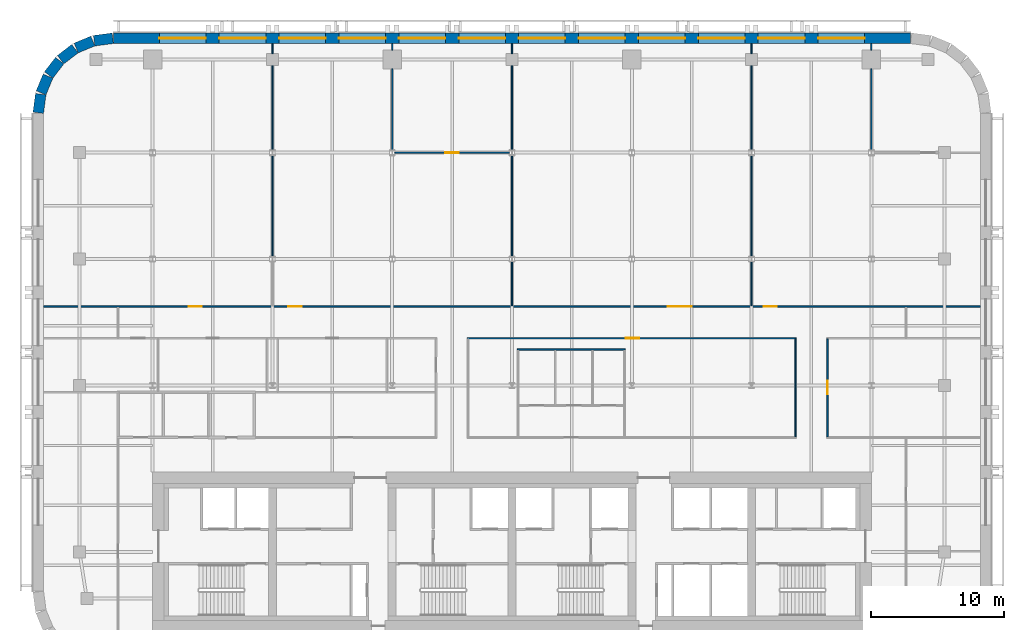
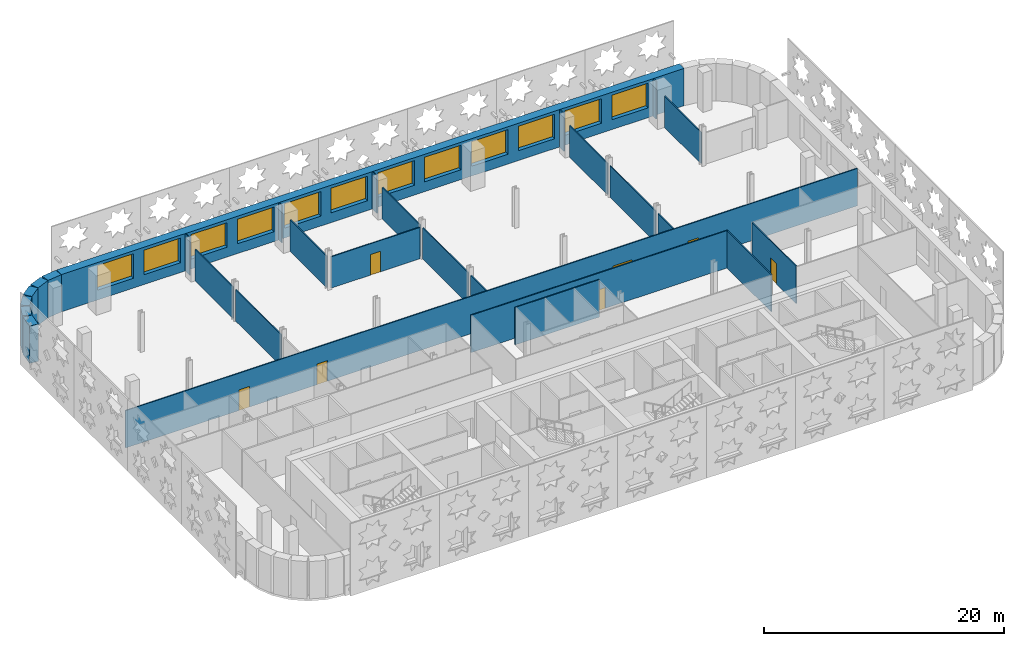
# One storey, part 6 of 12: 28 walls, 12 windows, 7 doors, 19 openings.
"""IFC4 building model written with IfcOpenShell, lengths in metres."""

import ifcopenshell
import ifcopenshell.guid

model = None  # the IFC model being written
_history = None  # IfcOwnerHistory: only IFC2X3 demands one
_inside = {}  # id of a spatial element -> (the spatial element, [elements in it])
_under = {}  # id of a project, library or spatial element -> (it, [spatial elements below it])
_declared = {}  # id of a project -> (the project, [libraries it declares])
_typed = {}  # id of a type object -> (the type object, [elements of that type])
_made_of = {}  # id of a material, layer set ... -> (it, [elements and type objects made of it])


def new_model(schema):
    """Start an empty IFC model of exactly this schema.

    Asked for "IFC4X3", IfcOpenShell would pick the latest addendum, in which some entities
    have other attributes; the version numbers below select the first issue.
    IFC2X3 requires an IfcOwnerHistory on every rooted entity: one is made here for all.
    """
    global model, _history
    if schema == "IFC4X3":
        model = ifcopenshell.file(schema_version=(4, 3, 0, 0))
    else:
        model = ifcopenshell.file(schema=schema)
    _inside.clear()
    _under.clear()
    _declared.clear()
    _typed.clear()
    _made_of.clear()
    _history = None
    if model.schema == "IFC2X3":
        org = make("IfcOrganization", Name="unknown")
        user = make(
            "IfcPersonAndOrganization",
            ThePerson=make("IfcPerson", FamilyName="unknown"),
            TheOrganization=org,
        )
        app = make(
            "IfcApplication",
            ApplicationDeveloper=org,
            Version="unknown",
            ApplicationFullName="unknown",
            ApplicationIdentifier="unknown",
        )
        _history = make(
            "IfcOwnerHistory",
            OwningUser=user,
            OwningApplication=app,
            ChangeAction="ADDED",
            CreationDate=0,
        )
    return model


def make(cls, **values):
    """One entity of the class cls with the attributes given. An attribute that is None is left unset."""
    return model.create_entity(
        cls, **{name: value for name, value in values.items() if value is not None}
    )


def rooted(cls, **values):
    """An entity with a GlobalId (a new one), such as an element, a storey or a relation."""
    return make(cls, GlobalId=ifcopenshell.guid.new(), OwnerHistory=_history, **values)


def si_unit(unit_type, name, prefix=None):
    """IfcSIUnit, for example si_unit("LENGTHUNIT", "METRE", prefix="MILLI")."""
    return make("IfcSIUnit", UnitType=unit_type, Prefix=prefix, Name=name)


def assignment(units):
    """IfcUnitAssignment: the units of a project."""
    return None if units is None else make("IfcUnitAssignment", Units=units)


def point(xyz):
    """IfcCartesianPoint."""
    return None if xyz is None else make("IfcCartesianPoint", Coordinates=xyz)


def direction(xyz):
    """IfcDirection."""
    return None if xyz is None else make("IfcDirection", DirectionRatios=xyz)


def frame(location, z_axis=None, x_axis=None):
    """IfcAxis2Placement3D, a coordinate frame: its origin and axes. An axis left out is left unset."""
    return make(
        "IfcAxis2Placement3D",
        Location=point(location),
        Axis=direction(z_axis),
        RefDirection=direction(x_axis),
    )


def frame_2d(location, x_axis=None):
    """IfcAxis2Placement2D, a coordinate frame in the plane: its origin and x axis."""
    return make(
        "IfcAxis2Placement2D", Location=point(location), RefDirection=direction(x_axis)
    )


def origin():
    """The frame at (0, 0, 0) with its axes left unset."""
    return frame((0.0, 0.0, 0.0))


def place(relative_to, where):
    """IfcLocalPlacement: puts the frame where relative to a parent placement (None: the world)."""
    return make(
        "IfcLocalPlacement", PlacementRelTo=relative_to, RelativePlacement=where
    )


def context(
    kind, dimensions, precision=None, world=None, true_north=None, identifier=None
):
    """IfcGeometricRepresentationContext, for example the 3D "Model" context."""
    return make(
        "IfcGeometricRepresentationContext",
        ContextIdentifier=identifier,
        ContextType=kind,
        CoordinateSpaceDimension=dimensions,
        Precision=precision,
        WorldCoordinateSystem=world,
        TrueNorth=true_north,
    )


def subcontext(parent, identifier, kind, view, scale=None):
    """IfcGeometricRepresentationSubContext, for example "Body" below "Model"."""
    return make(
        "IfcGeometricRepresentationSubContext",
        ContextIdentifier=identifier,
        ContextType=kind,
        ParentContext=parent,
        TargetScale=scale,
        TargetView=view,
    )


def project(units=None, contexts=None):
    """IfcProject with its units and contexts."""
    return rooted(
        "IfcProject",
        Name="project",
        RepresentationContexts=contexts,
        UnitsInContext=assignment(units),
    )


def spatial(cls, under=None, at=None, **own):
    """A site, building, storey or space (cls), placed at a placement, below another one or the project."""
    s = rooted(cls, ObjectPlacement=at, **own)
    if under is not None:
        _under.setdefault(under.id(), (under, []))[1].append(s)
    return s


def profile(cls, at=None, kind="AREA", **sizes):
    """A parametric profile (cls). Its sizes go by their IFC names, for example OverallWidth=200.0."""
    return make(cls, ProfileType=kind, Position=at, **sizes)


def rectangle(**sizes):
    """IfcRectangleProfileDef."""
    return profile("IfcRectangleProfileDef", **sizes)


def extrude(swept, where, along, depth):
    """IfcExtrudedAreaSolid: the profile swept, set in the frame where, extruded along a direction by depth."""
    return make(
        "IfcExtrudedAreaSolid",
        SweptArea=swept,
        Position=where,
        ExtrudedDirection=direction(along),
        Depth=depth,
    )


def shape(context_of_items, identifier, shape_type, items):
    """IfcShapeRepresentation: the items that make up one representation, for example the "Body"."""
    return make(
        "IfcShapeRepresentation",
        ContextOfItems=context_of_items,
        RepresentationIdentifier=identifier,
        RepresentationType=shape_type,
        Items=items,
    )


def material(Name=None, Category=None):
    """IfcMaterial."""
    return make("IfcMaterial", Name=Name, Category=Category)


def layer(
    of_material, thickness, ventilated=None, Name=None, Category=None, Priority=None
):
    """IfcMaterialLayer: one layer of a wall or slab, of a material (None: an air gap)."""
    return make(
        "IfcMaterialLayer",
        Material=of_material,
        LayerThickness=thickness,
        IsVentilated=ventilated,
        Name=Name,
        Category=Category,
        Priority=Priority,
    )


def layer_set(layers, Name=None):
    """IfcMaterialLayerSet."""
    return make("IfcMaterialLayerSet", MaterialLayers=layers, LayerSetName=Name)


def made_of(thing, what):
    """Note that an element or type object is made of a material, layer set ...; save() writes the relation."""
    if what is not None:
        _made_of.setdefault(what.id(), (what, []))[1].append(thing)
    return thing


def type_object(cls, material=None, **own):
    """A type object (cls), such as IfcWallType, which elements share."""
    return made_of(rooted(cls, **own), material)


def element(
    cls,
    number,
    at=None,
    inside=None,
    cuts=None,
    type_object=None,
    material=None,
    context=None,
    identifier="Body",
    shape_type=None,
    held_by="IfcProductDefinitionShape",
    body=None,
    shapes=None,
    **own,
):
    """One element of the class cls, such as IfcWall. Its Tag is "e" and its number.

    at: its placement. inside: the storey or other place that contains it. cuts: it is an
    opening in that element (IfcRelVoidsElement). A single representation is given by context,
    identifier, shape_type and body (its items); several are given by shapes. held_by: the class
    of the entity that holds the representations. save() writes the other relations.
    """
    e = rooted(cls, Tag="e%d" % number, ObjectPlacement=at, **own)
    if body is not None:
        shapes = [shape(context, identifier, shape_type, body)]
    if shapes is not None:
        e.Representation = make(held_by, Representations=shapes)
    if inside is not None:
        _inside.setdefault(inside.id(), (inside, []))[1].append(e)
    if cuts is not None:
        rooted(
            "IfcRelVoidsElement", RelatingBuildingElement=cuts, RelatedOpeningElement=e
        )
    if type_object is not None:
        _typed.setdefault(type_object.id(), (type_object, []))[1].append(e)
    return made_of(e, material)


def fill(opening, filler):
    """IfcRelFillsElement: the door or window that sits in an opening."""
    return rooted(
        "IfcRelFillsElement",
        RelatingOpeningElement=opening,
        RelatedBuildingElement=filler,
    )


def aggregate(whole, parts):
    """IfcRelAggregates: a whole, such as a stair, and the parts it consists of."""
    return rooted("IfcRelAggregates", RelatingObject=whole, RelatedObjects=parts)


def save(model, path):
    """Write the relations noted so far, then the file.

    IfcRelAggregates (storeys below a building ...), IfcRelContainedInSpatialStructure (elements
    in a storey), IfcRelDefinesByType, IfcRelAssociatesMaterial and IfcRelDeclares: one each for
    every whole, place, type object, material and project.
    """
    for whole, parts in _under.values():
        aggregate(whole, parts)
    for where, things in _inside.values():
        rooted(
            "IfcRelContainedInSpatialStructure",
            RelatedElements=things,
            RelatingStructure=where,
        )
    for kind, things in _typed.values():
        rooted("IfcRelDefinesByType", RelatedObjects=things, RelatingType=kind)
    for what, things in _made_of.values():
        rooted("IfcRelAssociatesMaterial", RelatedObjects=things, RelatingMaterial=what)
    for by, libraries in _declared.values():
        rooted("IfcRelDeclares", RelatingContext=by, RelatedDefinitions=libraries)
    model.write(path)


model = new_model("IFC4")

# Units and contexts
model_context = context("Model", 3, precision=1e-05, world=origin(), true_north=direction((0.0, 1.0)))
body_context = subcontext(model_context, "Body", "Model", "MODEL_VIEW")
ifc_project = project(units=[si_unit("LENGTHUNIT", "METRE"), si_unit("AREAUNIT", "SQUARE_METRE"), si_unit("VOLUMEUNIT", "CUBIC_METRE"), si_unit("PLANEANGLEUNIT", "RADIAN"), si_unit("MASSUNIT", "GRAM", prefix="KILO")], contexts=[model_context])

# Site, building, storey
site_placement = place(None, origin())
site = spatial("IfcSite", under=ifc_project, at=site_placement, CompositionType="ELEMENT")
building_placement = place(site_placement, origin())
building = spatial("IfcBuilding", under=site, at=building_placement, Name="Zellij Exchange Tower", CompositionType="ELEMENT")
storey_placement = place(building_placement, frame((0.0, 0.0, 196.5)))
storey = spatial("IfcBuildingStorey", under=building, at=storey_placement, Name="L45", CompositionType="ELEMENT", Elevation=196.5)

# Wall, openings, windows
ifc_material_1 = material(Name="Precast concrete C40/50", Category="concrete")
ifc_layer_1 = layer(ifc_material_1, 0.800048828125)
ifc_layer_set_1 = layer_set([ifc_layer_1], Name="Precast concrete C40/50")
wall_type_1 = type_object("IfcWallType", Name="ENV-EW1 Precast stone-piered wall 800", PredefinedType="SOLIDWALL", material=ifc_layer_set_1)
wall_1_placement = place(storey_placement, frame((29.947509765625, 30.60009765625, 0.0), z_axis=(0.0, 0.0, 1.0), x_axis=(-1.0, 0.0, 0.0)))
wall_1 = element("IfcWall", 1, at=wall_1_placement, inside=storey, type_object=wall_type_1, Name="fac.L45.14", PredefinedType="SOLIDWALL", context=body_context, shape_type="SweptSolid", body=[
    extrude(rectangle(XDim=59.89501953125, YDim=0.800048828125, at=frame_2d((29.947509765625, 0.0))), origin(), (0.0, 0.0, 1.0), 3.800048828125),
])
opening_1_placement = place(wall_1_placement, frame((3.447509765625, 0.0, 1.0)))
opening_1 = element("IfcOpeningElement", 2, at=opening_1_placement, cuts=wall_1, Name="Opening FZ3.19", PredefinedType="OPENING", context=body_context, shape_type="SweptSolid", body=[
    extrude(rectangle(XDim=3.5, YDim=2.5, at=frame_2d((1.75, 1.25))), frame((0.0, 0.412109375, 0.0), z_axis=(0.0, -1.0, 0.0), x_axis=(1.0, 0.0, 0.0)), (0.0, 0.0, 1.0), 0.823974609375),
])
opening_2_placement = place(wall_1_placement, frame((7.947509765625, 0.0, 1.0)))
opening_2 = element("IfcOpeningElement", 3, at=opening_2_placement, cuts=wall_1, Name="Opening FZ3.20", PredefinedType="OPENING", context=body_context, shape_type="SweptSolid", body=[
    extrude(rectangle(XDim=3.5, YDim=2.5, at=frame_2d((1.75, 1.25))), frame((0.0, 0.412109375, 0.0), z_axis=(0.0, -1.0, 0.0), x_axis=(1.0, 0.0, 0.0)), (0.0, 0.0, 1.0), 0.823974609375),
])
opening_3_placement = place(wall_1_placement, frame((12.447509765625, 0.0, 1.0)))
opening_3 = element("IfcOpeningElement", 4, at=opening_3_placement, cuts=wall_1, Name="Opening FZ3.21", PredefinedType="OPENING", context=body_context, shape_type="SweptSolid", body=[
    extrude(rectangle(XDim=3.5, YDim=2.5, at=frame_2d((1.75, 1.25))), frame((0.0, 0.412109375, 0.0), z_axis=(0.0, -1.0, 0.0), x_axis=(1.0, 0.0, 0.0)), (0.0, 0.0, 1.0), 0.823974609375),
])
opening_4_placement = place(wall_1_placement, frame((16.947509765625, 0.0, 1.0)))
opening_4 = element("IfcOpeningElement", 5, at=opening_4_placement, cuts=wall_1, Name="Opening FZ3.22", PredefinedType="OPENING", context=body_context, shape_type="SweptSolid", body=[
    extrude(rectangle(XDim=3.5, YDim=2.5, at=frame_2d((1.75, 1.25))), frame((0.0, 0.412109375, 0.0), z_axis=(0.0, -1.0, 0.0), x_axis=(1.0, 0.0, 0.0)), (0.0, 0.0, 1.0), 0.823974609375),
])
opening_5_placement = place(wall_1_placement, frame((21.447509765625, 0.0, 1.0)))
opening_5 = element("IfcOpeningElement", 6, at=opening_5_placement, cuts=wall_1, Name="Opening FZ3.23", PredefinedType="OPENING", context=body_context, shape_type="SweptSolid", body=[
    extrude(rectangle(XDim=3.5, YDim=2.5, at=frame_2d((1.75, 1.25))), frame((0.0, 0.412109375, 0.0), z_axis=(0.0, -1.0, 0.0), x_axis=(1.0, 0.0, 0.0)), (0.0, 0.0, 1.0), 0.823974609375),
])
opening_6_placement = place(wall_1_placement, frame((25.947509765625, 0.0, 1.0)))
opening_6 = element("IfcOpeningElement", 7, at=opening_6_placement, cuts=wall_1, Name="Opening FZ3.24", PredefinedType="OPENING", context=body_context, shape_type="SweptSolid", body=[
    extrude(rectangle(XDim=3.5, YDim=2.5, at=frame_2d((1.75, 1.25))), frame((0.0, 0.412109375, 0.0), z_axis=(0.0, -1.0, 0.0), x_axis=(1.0, 0.0, 0.0)), (0.0, 0.0, 1.0), 0.823974609375),
])
opening_7_placement = place(wall_1_placement, frame((30.447509765625, 0.0, 1.0)))
opening_7 = element("IfcOpeningElement", 8, at=opening_7_placement, cuts=wall_1, Name="Opening FZ3.25", PredefinedType="OPENING", context=body_context, shape_type="SweptSolid", body=[
    extrude(rectangle(XDim=3.5, YDim=2.5, at=frame_2d((1.75, 1.25))), frame((0.0, 0.412109375, 0.0), z_axis=(0.0, -1.0, 0.0), x_axis=(1.0, 0.0, 0.0)), (0.0, 0.0, 1.0), 0.823974609375),
])
opening_8_placement = place(wall_1_placement, frame((34.947509765625, 0.0, 1.0)))
opening_8 = element("IfcOpeningElement", 9, at=opening_8_placement, cuts=wall_1, Name="Opening FZ3.26", PredefinedType="OPENING", context=body_context, shape_type="SweptSolid", body=[
    extrude(rectangle(XDim=3.5, YDim=2.5, at=frame_2d((1.75, 1.25))), frame((0.0, 0.412109375, 0.0), z_axis=(0.0, -1.0, 0.0), x_axis=(1.0, 0.0, 0.0)), (0.0, 0.0, 1.0), 0.823974609375),
])
opening_9_placement = place(wall_1_placement, frame((39.447509765625, 0.0, 1.0)))
opening_9 = element("IfcOpeningElement", 10, at=opening_9_placement, cuts=wall_1, Name="Opening FZ3.27", PredefinedType="OPENING", context=body_context, shape_type="SweptSolid", body=[
    extrude(rectangle(XDim=3.5, YDim=2.5, at=frame_2d((1.75, 1.25))), frame((0.0, 0.412109375, 0.0), z_axis=(0.0, -1.0, 0.0), x_axis=(1.0, 0.0, 0.0)), (0.0, 0.0, 1.0), 0.823974609375),
])
opening_10_placement = place(wall_1_placement, frame((43.947509765625, 0.0, 1.0)))
opening_10 = element("IfcOpeningElement", 11, at=opening_10_placement, cuts=wall_1, Name="Opening FZ3.28", PredefinedType="OPENING", context=body_context, shape_type="SweptSolid", body=[
    extrude(rectangle(XDim=3.5, YDim=2.5, at=frame_2d((1.75, 1.25))), frame((0.0, 0.412109375, 0.0), z_axis=(0.0, -1.0, 0.0), x_axis=(1.0, 0.0, 0.0)), (0.0, 0.0, 1.0), 0.823974609375),
])
opening_11_placement = place(wall_1_placement, frame((48.447509765625, 0.0, 1.0)))
opening_11 = element("IfcOpeningElement", 12, at=opening_11_placement, cuts=wall_1, Name="Opening FZ3.29", PredefinedType="OPENING", context=body_context, shape_type="SweptSolid", body=[
    extrude(rectangle(XDim=3.5, YDim=2.5, at=frame_2d((1.75, 1.25))), frame((0.0, 0.412109375, 0.0), z_axis=(0.0, -1.0, 0.0), x_axis=(1.0, 0.0, 0.0)), (0.0, 0.0, 1.0), 0.823974609375),
])
opening_12_placement = place(wall_1_placement, frame((52.947509765625, 0.0, 1.0)))
opening_12 = element("IfcOpeningElement", 13, at=opening_12_placement, cuts=wall_1, Name="Opening FZ3.30", PredefinedType="OPENING", context=body_context, shape_type="SweptSolid", body=[
    extrude(rectangle(XDim=3.5, YDim=2.5, at=frame_2d((1.75, 1.25))), frame((0.0, 0.412109375, 0.0), z_axis=(0.0, -1.0, 0.0), x_axis=(1.0, 0.0, 0.0)), (0.0, 0.0, 1.0), 0.823974609375),
])
ifc_material_2 = material(Name="Aluminium frame with insulating glass", Category="aluminium")
window_type = type_object("IfcWindowType", Name="ENV-W1 Window 3500x2500", PartitioningType="SINGLE_PANEL", PredefinedType="WINDOW", material=ifc_material_2)
window_1_placement = place(opening_1_placement, origin())
window_1 = element("IfcWindow", 14, at=window_1_placement, inside=storey, type_object=window_type, Name="Window FZ3.19", OverallHeight=2.5, OverallWidth=3.5, PartitioningType="SINGLE_PANEL", PredefinedType="WINDOW", context=body_context, shape_type="SweptSolid", body=[
    extrude(rectangle(XDim=3.5, YDim=2.5, at=frame_2d((1.75, 1.25))), frame((0.0, 0.030029296875, 0.0), z_axis=(0.0, -1.0, 0.0), x_axis=(1.0, 0.0, 0.0)), (0.0, 0.0, 1.0), 0.06005859375),
])
fill(opening_1, window_1)
window_2_placement = place(opening_2_placement, origin())
window_2 = element("IfcWindow", 15, at=window_2_placement, inside=storey, type_object=window_type, Name="Window FZ3.20", OverallHeight=2.5, OverallWidth=3.5, PartitioningType="SINGLE_PANEL", PredefinedType="WINDOW", context=body_context, shape_type="SweptSolid", body=[
    extrude(rectangle(XDim=3.5, YDim=2.5, at=frame_2d((1.75, 1.25))), frame((0.0, 0.030029296875, 0.0), z_axis=(0.0, -1.0, 0.0), x_axis=(1.0, 0.0, 0.0)), (0.0, 0.0, 1.0), 0.06005859375),
])
fill(opening_2, window_2)
window_3_placement = place(opening_3_placement, origin())
window_3 = element("IfcWindow", 16, at=window_3_placement, inside=storey, type_object=window_type, Name="Window FZ3.21", OverallHeight=2.5, OverallWidth=3.5, PartitioningType="SINGLE_PANEL", PredefinedType="WINDOW", context=body_context, shape_type="SweptSolid", body=[
    extrude(rectangle(XDim=3.5, YDim=2.5, at=frame_2d((1.75, 1.25))), frame((0.0, 0.030029296875, 0.0), z_axis=(0.0, -1.0, 0.0), x_axis=(1.0, 0.0, 0.0)), (0.0, 0.0, 1.0), 0.06005859375),
])
fill(opening_3, window_3)
window_4_placement = place(opening_4_placement, origin())
window_4 = element("IfcWindow", 17, at=window_4_placement, inside=storey, type_object=window_type, Name="Window FZ3.22", OverallHeight=2.5, OverallWidth=3.5, PartitioningType="SINGLE_PANEL", PredefinedType="WINDOW", context=body_context, shape_type="SweptSolid", body=[
    extrude(rectangle(XDim=3.5, YDim=2.5, at=frame_2d((1.75, 1.25))), frame((0.0, 0.030029296875, 0.0), z_axis=(0.0, -1.0, 0.0), x_axis=(1.0, 0.0, 0.0)), (0.0, 0.0, 1.0), 0.06005859375),
])
fill(opening_4, window_4)
window_5_placement = place(opening_5_placement, origin())
window_5 = element("IfcWindow", 18, at=window_5_placement, inside=storey, type_object=window_type, Name="Window FZ3.23", OverallHeight=2.5, OverallWidth=3.5, PartitioningType="SINGLE_PANEL", PredefinedType="WINDOW", context=body_context, shape_type="SweptSolid", body=[
    extrude(rectangle(XDim=3.5, YDim=2.5, at=frame_2d((1.75, 1.25))), frame((0.0, 0.030029296875, 0.0), z_axis=(0.0, -1.0, 0.0), x_axis=(1.0, 0.0, 0.0)), (0.0, 0.0, 1.0), 0.06005859375),
])
fill(opening_5, window_5)
window_6_placement = place(opening_6_placement, origin())
window_6 = element("IfcWindow", 19, at=window_6_placement, inside=storey, type_object=window_type, Name="Window FZ3.24", OverallHeight=2.5, OverallWidth=3.5, PartitioningType="SINGLE_PANEL", PredefinedType="WINDOW", context=body_context, shape_type="SweptSolid", body=[
    extrude(rectangle(XDim=3.5, YDim=2.5, at=frame_2d((1.75, 1.25))), frame((0.0, 0.030029296875, 0.0), z_axis=(0.0, -1.0, 0.0), x_axis=(1.0, 0.0, 0.0)), (0.0, 0.0, 1.0), 0.06005859375),
])
fill(opening_6, window_6)
window_7_placement = place(opening_7_placement, origin())
window_7 = element("IfcWindow", 20, at=window_7_placement, inside=storey, type_object=window_type, Name="Window FZ3.25", OverallHeight=2.5, OverallWidth=3.5, PartitioningType="SINGLE_PANEL", PredefinedType="WINDOW", context=body_context, shape_type="SweptSolid", body=[
    extrude(rectangle(XDim=3.5, YDim=2.5, at=frame_2d((1.75, 1.25))), frame((0.0, 0.030029296875, 0.0), z_axis=(0.0, -1.0, 0.0), x_axis=(1.0, 0.0, 0.0)), (0.0, 0.0, 1.0), 0.06005859375),
])
fill(opening_7, window_7)
window_8_placement = place(opening_8_placement, origin())
window_8 = element("IfcWindow", 21, at=window_8_placement, inside=storey, type_object=window_type, Name="Window FZ3.26", OverallHeight=2.5, OverallWidth=3.5, PartitioningType="SINGLE_PANEL", PredefinedType="WINDOW", context=body_context, shape_type="SweptSolid", body=[
    extrude(rectangle(XDim=3.5, YDim=2.5, at=frame_2d((1.75, 1.25))), frame((0.0, 0.030029296875, 0.0), z_axis=(0.0, -1.0, 0.0), x_axis=(1.0, 0.0, 0.0)), (0.0, 0.0, 1.0), 0.06005859375),
])
fill(opening_8, window_8)
window_9_placement = place(opening_9_placement, origin())
window_9 = element("IfcWindow", 22, at=window_9_placement, inside=storey, type_object=window_type, Name="Window FZ3.27", OverallHeight=2.5, OverallWidth=3.5, PartitioningType="SINGLE_PANEL", PredefinedType="WINDOW", context=body_context, shape_type="SweptSolid", body=[
    extrude(rectangle(XDim=3.5, YDim=2.5, at=frame_2d((1.75, 1.25))), frame((0.0, 0.030029296875, 0.0), z_axis=(0.0, -1.0, 0.0), x_axis=(1.0, 0.0, 0.0)), (0.0, 0.0, 1.0), 0.06005859375),
])
fill(opening_9, window_9)
window_10_placement = place(opening_10_placement, origin())
window_10 = element("IfcWindow", 23, at=window_10_placement, inside=storey, type_object=window_type, Name="Window FZ3.28", OverallHeight=2.5, OverallWidth=3.5, PartitioningType="SINGLE_PANEL", PredefinedType="WINDOW", context=body_context, shape_type="SweptSolid", body=[
    extrude(rectangle(XDim=3.5, YDim=2.5, at=frame_2d((1.75, 1.25))), frame((0.0, 0.030029296875, 0.0), z_axis=(0.0, -1.0, 0.0), x_axis=(1.0, 0.0, 0.0)), (0.0, 0.0, 1.0), 0.06005859375),
])
fill(opening_10, window_10)
window_11_placement = place(opening_11_placement, origin())
window_11 = element("IfcWindow", 24, at=window_11_placement, inside=storey, type_object=window_type, Name="Window FZ3.29", OverallHeight=2.5, OverallWidth=3.5, PartitioningType="SINGLE_PANEL", PredefinedType="WINDOW", context=body_context, shape_type="SweptSolid", body=[
    extrude(rectangle(XDim=3.5, YDim=2.5, at=frame_2d((1.75, 1.25))), frame((0.0, 0.030029296875, 0.0), z_axis=(0.0, -1.0, 0.0), x_axis=(1.0, 0.0, 0.0)), (0.0, 0.0, 1.0), 0.06005859375),
])
fill(opening_11, window_11)
window_12_placement = place(opening_12_placement, origin())
window_12 = element("IfcWindow", 25, at=window_12_placement, inside=storey, type_object=window_type, Name="Window FZ3.30", OverallHeight=2.5, OverallWidth=3.5, PartitioningType="SINGLE_PANEL", PredefinedType="WINDOW", context=body_context, shape_type="SweptSolid", body=[
    extrude(rectangle(XDim=3.5, YDim=2.5, at=frame_2d((1.75, 1.25))), frame((0.0, 0.030029296875, 0.0), z_axis=(0.0, -1.0, 0.0), x_axis=(1.0, 0.0, 0.0)), (0.0, 0.0, 1.0), 0.06005859375),
])
fill(opening_12, window_12)

# Walls
wall_2_placement = place(storey_placement, frame((-29.999755859375, 30.5966796875, 0.0), z_axis=(0.0, 0.0, 1.0), x_axis=(-0.99144603414, -0.130517283865, 0.0)))
element("IfcWall", 26, at=wall_2_placement, inside=storey, type_object=wall_type_1, Name="fac.L45.15", PredefinedType="SOLIDWALL", context=body_context, shape_type="SweptSolid", body=[
    extrude(rectangle(XDim=1.408447265625, YDim=0.800048828125, at=frame_2d((0.7041015625, 0.0))), origin(), (0.0, 0.0, 1.0), 3.800048828125),
])
wall_3_placement = place(storey_placement, frame((-31.497314453125, 30.3857421875, 0.0), z_axis=(0.0, 0.0, 1.0), x_axis=(-0.923847774587, -0.38276009378, 0.0)))
element("IfcWall", 27, at=wall_3_placement, inside=storey, type_object=wall_type_1, Name="fac.L45.16", PredefinedType="SOLIDWALL", context=body_context, shape_type="SweptSolid", body=[
    extrude(rectangle(XDim=1.35546875, YDim=0.800048828125, at=frame_2d((0.677734375, 0.0))), origin(), (0.0, 0.0, 1.0), 3.800048828125),
])
for number, where, z_axis, x_axis, name in (
    (28, (-32.840087890625, 29.814697265625, 0.0), (0.0, 0.0, 1.0), (-0.793272915452, -0.608866226366, 0.0), "fac.L45.17"),
    (29, (-33.9892578125, 28.91552734375, 0.0), (0.0, 0.0, 1.0), (-0.608866226366, -0.793272915452, 0.0), "fac.L45.18"),
):
    element("IfcWall", number, at=place(storey_placement, frame(where, z_axis=z_axis, x_axis=x_axis)), inside=storey, type_object=wall_type_1, Name=name, PredefinedType="SOLIDWALL", context=body_context, shape_type="SweptSolid", body=[
        extrude(rectangle(XDim=1.355712890625, YDim=0.800048828125, at=frame_2d((0.677734375, 0.0))), origin(), (0.0, 0.0, 1.0), 3.800048828125),
    ])
wall_4_placement = place(storey_placement, frame((-34.866943359375, 27.74951171875, 0.0), z_axis=(0.0, 0.0, 1.0), x_axis=(-0.38276009378, -0.923847774587, 0.0)))
element("IfcWall", 30, at=wall_4_placement, inside=storey, type_object=wall_type_1, Name="fac.L45.19", PredefinedType="SOLIDWALL", context=body_context, shape_type="SweptSolid", body=[
    extrude(rectangle(XDim=1.35546875, YDim=0.800048828125, at=frame_2d((0.677734375, 0.0))), origin(), (0.0, 0.0, 1.0), 3.800048828125),
])
wall_5_placement = place(storey_placement, frame((-35.412841796875, 26.396240234375, 0.0), z_axis=(0.0, 0.0, 1.0), x_axis=(-0.130517283865, -0.99144603414, 0.0)))
element("IfcWall", 31, at=wall_5_placement, inside=storey, type_object=wall_type_1, Name="fac.L45.20", PredefinedType="SOLIDWALL", context=body_context, shape_type="SweptSolid", body=[
    extrude(rectangle(XDim=1.408447265625, YDim=0.800048828125, at=frame_2d((0.7041015625, 0.0))), origin(), (0.0, 0.0, 1.0), 3.800048828125),
])
ifc_material_3 = material(Name="Gypsum board partition on steel studs", Category="steel")
ifc_layer_2 = layer(ifc_material_3, 0.10009765625)
ifc_layer_set_2 = layer_set([ifc_layer_2], Name="Gypsum board partition on steel studs")
wall_type_2 = type_object("IfcWallType", Name="FIT-PARTITION-100", PredefinedType="PARTITIONING", material=ifc_layer_set_2)
wall_6_placement = place(storey_placement, frame((21.300048828125, 0.64990234375, 0.0), z_axis=(0.0, 0.0, 1.0), x_axis=(0.0, 1.0, 0.0)))
element("IfcWall", 32, at=wall_6_placement, inside=storey, type_object=wall_type_2, Name="FIT-PARTITION-100 017", PredefinedType="PARTITIONING", context=body_context, shape_type="SweptSolid", body=[
    extrude(rectangle(XDim=7.35009765625, YDim=0.10009765625, at=frame_2d((3.675048828125, 0.0))), origin(), (0.0, 0.0, 1.0), 3.800048828125),
])

# Wall, opening, door
wall_7_placement = place(storey_placement, frame((23.699951171875, 0.64990234375, 0.0), z_axis=(0.0, 0.0, 1.0), x_axis=(0.0, 1.0, 0.0)))
wall_7 = element("IfcWall", 33, at=wall_7_placement, inside=storey, type_object=wall_type_2, Name="FIT-PARTITION-100 019", PredefinedType="PARTITIONING", context=body_context, shape_type="SweptSolid", body=[
    extrude(rectangle(XDim=7.35009765625, YDim=0.10009765625, at=frame_2d((3.675048828125, 0.0))), origin(), (0.0, 0.0, 1.0), 3.800048828125),
])
opening_13_placement = place(wall_7_placement, frame((3.199951171875, 0.0, 0.0)))
opening_13 = element("IfcOpeningElement", 34, at=opening_13_placement, cuts=wall_7, Name="Opening O3D.12", PredefinedType="OPENING", context=body_context, shape_type="SweptSolid", body=[
    extrude(rectangle(XDim=1.0, YDim=2.10009765625, at=frame_2d((0.5, 1.050048828125))), frame((0.0, 0.06201171875, 0.0), z_axis=(0.0, -1.0, 0.0), x_axis=(1.0, 0.0, 0.0)), (0.0, 0.0, 1.0), 0.1240234375),
])
ifc_material_4 = material(Name="Timber door set", Category="wood")
door_type_1 = type_object("IfcDoorType", Name="FIT-D2-WIDE-1000X2100", OperationType="SINGLE_SWING_LEFT", PredefinedType="DOOR", material=ifc_material_4)
door_1_placement = place(opening_13_placement, origin())
door_1 = element("IfcDoor", 35, at=door_1_placement, inside=storey, type_object=door_type_1, Name="Door O3D.12", OperationType="SINGLE_SWING_RIGHT", OverallHeight=2.10009765625, OverallWidth=1.0, PredefinedType="DOOR", context=body_context, shape_type="SweptSolid", body=[
    extrude(rectangle(XDim=1.0, YDim=2.10009765625, at=frame_2d((0.5, 1.050048828125))), frame((0.0, 0.02490234375, 0.0), z_axis=(0.0, -1.0, 0.0), x_axis=(1.0, 0.0, 0.0)), (0.0, 0.0, 1.0), 0.050048828125),
])
fill(opening_13, door_1)

# Wall
wall_8_placement = place(storey_placement, frame((0.39990234375, 7.199951171875, 0.0), z_axis=(0.0, 0.0, 1.0), x_axis=(1.0, 0.0, 0.0)))
element("IfcWall", 36, at=wall_8_placement, inside=storey, type_object=wall_type_2, Name="FIT-PARTITION-100 031", PredefinedType="PARTITIONING", context=body_context, shape_type="SweptSolid", body=[
    extrude(rectangle(XDim=8.10009765625, YDim=0.10009765625, at=frame_2d((4.050048828125, 0.0))), origin(), (0.0, 0.0, 1.0), 3.800048828125),
])

# Wall, opening, door
wall_9_placement = place(storey_placement, frame((-3.35009765625, 8.050048828125, 0.0), z_axis=(0.0, 0.0, 1.0), x_axis=(1.0, 0.0, 0.0)))
wall_9 = element("IfcWall", 37, at=wall_9_placement, inside=storey, type_object=wall_type_2, Name="FIT-PARTITION-100 034", PredefinedType="PARTITIONING", context=body_context, shape_type="SweptSolid", body=[
    extrude(rectangle(XDim=24.7001953125, YDim=0.10009765625, at=frame_2d((12.35009765625, 0.0))), origin(), (0.0, 0.0, 1.0), 3.800048828125),
])
opening_14_placement = place(wall_9_placement, frame((11.89990234375, 0.0, 0.0)))
opening_14 = element("IfcOpeningElement", 38, at=opening_14_placement, cuts=wall_9, Name="Opening O3D.17", PredefinedType="OPENING", context=body_context, shape_type="SweptSolid", body=[
    extrude(rectangle(XDim=1.0, YDim=2.10009765625, at=frame_2d((0.5, 1.050048828125))), frame((0.0, 0.06201171875, 0.0), z_axis=(0.0, -1.0, 0.0), x_axis=(1.0, 0.0, 0.0)), (0.0, 0.0, 1.0), 0.1240234375),
])
door_2_placement = place(opening_14_placement, origin())
door_2 = element("IfcDoor", 39, at=door_2_placement, inside=storey, type_object=door_type_1, Name="Door O3D.17", OperationType="SINGLE_SWING_RIGHT", OverallHeight=2.10009765625, OverallWidth=1.0, PredefinedType="DOOR", context=body_context, shape_type="SweptSolid", body=[
    extrude(rectangle(XDim=1.0, YDim=2.10009765625, at=frame_2d((0.5, 1.050048828125))), frame((0.0, 0.02490234375, 0.0), z_axis=(0.0, -1.0, 0.0), x_axis=(1.0, 0.0, 0.0)), (0.0, 0.0, 1.0), 0.050048828125),
])
fill(opening_14, door_2)

# Wall, openings, doors
wall_10_placement = place(storey_placement, frame((-35.199951171875, 10.449951171875, 0.0), z_axis=(0.0, 0.0, 1.0), x_axis=(1.0, 0.0, 0.0)))
wall_10 = element("IfcWall", 40, at=wall_10_placement, inside=storey, type_object=wall_type_2, Name="FIT-PARTITION-100 037", PredefinedType="PARTITIONING", context=body_context, shape_type="SweptSolid", body=[
    extrude(rectangle(XDim=70.39990234375, YDim=0.10009765625, at=frame_2d((35.199951171875, 0.0))), origin(), (0.0, 0.0, 1.0), 3.800048828125),
])
opening_15_placement = place(wall_10_placement, frame((10.89990234375, 0.0, 0.0)))
opening_15 = element("IfcOpeningElement", 41, at=opening_15_placement, cuts=wall_10, Name="Opening O3D.18", PredefinedType="OPENING", context=body_context, shape_type="SweptSolid", body=[
    extrude(rectangle(XDim=1.0, YDim=2.10009765625, at=frame_2d((0.5, 1.050048828125))), frame((0.0, 0.06201171875, 0.0), z_axis=(0.0, -1.0, 0.0), x_axis=(1.0, 0.0, 0.0)), (0.0, 0.0, 1.0), 0.1240234375),
])
opening_16_placement = place(wall_10_placement, frame((18.39990234375, 0.0, 0.0)))
opening_16 = element("IfcOpeningElement", 42, at=opening_16_placement, cuts=wall_10, Name="Opening O3D.19", PredefinedType="OPENING", context=body_context, shape_type="SweptSolid", body=[
    extrude(rectangle(XDim=1.0, YDim=2.10009765625, at=frame_2d((0.5, 1.050048828125))), frame((0.0, 0.06201171875, 0.0), z_axis=(0.0, -1.0, 0.0), x_axis=(1.0, 0.0, 0.0)), (0.0, 0.0, 1.0), 0.1240234375),
])
opening_17_placement = place(wall_10_placement, frame((46.89990234375, 0.0, 0.0)))
opening_17 = element("IfcOpeningElement", 43, at=opening_17_placement, cuts=wall_10, Name="Opening O3D.20", PredefinedType="OPENING", context=body_context, shape_type="SweptSolid", body=[
    extrude(rectangle(XDim=1.800048828125, YDim=2.10009765625, at=frame_2d((0.89990234375, 1.050048828125))), frame((0.0, 0.06201171875, 0.0), z_axis=(0.0, -1.0, 0.0), x_axis=(1.0, 0.0, 0.0)), (0.0, 0.0, 1.0), 0.1240234375),
])
opening_18_placement = place(wall_10_placement, frame((54.10009765625, 0.0, 0.0)))
opening_18 = element("IfcOpeningElement", 44, at=opening_18_placement, cuts=wall_10, Name="Opening O3D.21", PredefinedType="OPENING", context=body_context, shape_type="SweptSolid", body=[
    extrude(rectangle(XDim=1.0, YDim=2.10009765625, at=frame_2d((0.5, 1.050048828125))), frame((0.0, 0.06201171875, 0.0), z_axis=(0.0, -1.0, 0.0), x_axis=(1.0, 0.0, 0.0)), (0.0, 0.0, 1.0), 0.1240234375),
])
door_3_placement = place(opening_15_placement, origin())
door_3 = element("IfcDoor", 45, at=door_3_placement, inside=storey, type_object=door_type_1, Name="Door O3D.18", OperationType="SINGLE_SWING_RIGHT", OverallHeight=2.10009765625, OverallWidth=1.0, PredefinedType="DOOR", context=body_context, shape_type="SweptSolid", body=[
    extrude(rectangle(XDim=1.0, YDim=2.10009765625, at=frame_2d((0.5, 1.050048828125))), frame((0.0, 0.02490234375, 0.0), z_axis=(0.0, -1.0, 0.0), x_axis=(1.0, 0.0, 0.0)), (0.0, 0.0, 1.0), 0.050048828125),
])
fill(opening_15, door_3)
door_4_placement = place(opening_16_placement, origin())
door_4 = element("IfcDoor", 46, at=door_4_placement, inside=storey, type_object=door_type_1, Name="Door O3D.19", OperationType="SINGLE_SWING_RIGHT", OverallHeight=2.10009765625, OverallWidth=1.0, PredefinedType="DOOR", context=body_context, shape_type="SweptSolid", body=[
    extrude(rectangle(XDim=1.0, YDim=2.10009765625, at=frame_2d((0.5, 1.050048828125))), frame((0.0, 0.02490234375, 0.0), z_axis=(0.0, -1.0, 0.0), x_axis=(1.0, 0.0, 0.0)), (0.0, 0.0, 1.0), 0.050048828125),
])
fill(opening_16, door_4)
door_5_placement = place(opening_18_placement, origin())
door_5 = element("IfcDoor", 47, at=door_5_placement, inside=storey, type_object=door_type_1, Name="Door O3D.21", OperationType="SINGLE_SWING_RIGHT", OverallHeight=2.10009765625, OverallWidth=1.0, PredefinedType="DOOR", context=body_context, shape_type="SweptSolid", body=[
    extrude(rectangle(XDim=1.0, YDim=2.10009765625, at=frame_2d((0.5, 1.050048828125))), frame((0.0, 0.02490234375, 0.0), z_axis=(0.0, -1.0, 0.0), x_axis=(1.0, 0.0, 0.0)), (0.0, 0.0, 1.0), 0.050048828125),
])
fill(opening_18, door_5)
door_type_2 = type_object("IfcDoorType", Name="FIT-D3-DOUBLE-1800X2100", OperationType="DOUBLE_DOOR_SINGLE_SWING", PredefinedType="DOOR", material=ifc_material_4)
door_6_placement = place(opening_17_placement, origin())
door_6 = element("IfcDoor", 48, at=door_6_placement, inside=storey, type_object=door_type_2, Name="Door O3D.20", OperationType="DOUBLE_DOOR_SINGLE_SWING", OverallHeight=2.10009765625, OverallWidth=1.800048828125, PredefinedType="DOOR", context=body_context, shape_type="SweptSolid", body=[
    extrude(rectangle(XDim=1.800048828125, YDim=2.10009765625, at=frame_2d((0.89990234375, 1.050048828125))), frame((0.0, 0.02490234375, 0.0), z_axis=(0.0, -1.0, 0.0), x_axis=(1.0, 0.0, 0.0)), (0.0, 0.0, 1.0), 0.050048828125),
])
fill(opening_17, door_6)

# Walls
wall_11_placement = place(storey_placement, frame((-18.0, 14.212158203125, 0.0), z_axis=(0.0, 0.0, 1.0), x_axis=(0.0, 1.0, 0.0)))
element("IfcWall", 49, at=wall_11_placement, inside=storey, type_object=wall_type_2, Name="FIT-PARTITION-100 039", PredefinedType="PARTITIONING", context=body_context, shape_type="SweptSolid", body=[
    extrude(rectangle(XDim=7.57568359375, YDim=0.10009765625, at=frame_2d((3.787841796875, 0.0))), origin(), (0.0, 0.0, 1.0), 3.19287109375),
])
wall_12_placement = place(storey_placement, frame((-18.0, 22.212158203125, 0.0), z_axis=(0.0, 0.0, 1.0), x_axis=(0.0, 1.0, 0.0)))
element("IfcWall", 50, at=wall_12_placement, inside=storey, type_object=wall_type_2, Name="FIT-PARTITION-100 040", PredefinedType="PARTITIONING", context=body_context, shape_type="SweptSolid", body=[
    extrude(rectangle(XDim=6.337890625, YDim=0.10009765625, at=frame_2d((3.1689453125, 0.0))), origin(), (0.0, 0.0, 1.0), 3.19287109375),
])
wall_13_placement = place(storey_placement, frame((-18.0, 29.449951171875, 0.0), z_axis=(0.0, 0.0, 1.0), x_axis=(0.0, 1.0, 0.0)))
element("IfcWall", 51, at=wall_13_placement, inside=storey, type_object=wall_type_2, Name="FIT-PARTITION-100 041", PredefinedType="PARTITIONING", context=body_context, shape_type="SweptSolid", body=[
    extrude(rectangle(XDim=0.75, YDim=0.10009765625, at=frame_2d((0.375, 0.0))), origin(), (0.0, 0.0, 1.0), 3.800048828125),
])
wall_14_placement = place(storey_placement, frame((0.0, 10.5, 0.0), z_axis=(0.0, 0.0, 1.0), x_axis=(0.0, 1.0, 0.0)))
element("IfcWall", 52, at=wall_14_placement, inside=storey, type_object=wall_type_2, Name="FIT-PARTITION-100 042", PredefinedType="PARTITIONING", context=body_context, shape_type="SweptSolid", body=[
    extrude(rectangle(XDim=3.287841796875, YDim=0.10009765625, at=frame_2d((1.64404296875, 0.0))), origin(), (0.0, 0.0, 1.0), 3.19287109375),
])
wall_15_placement = place(storey_placement, frame((0.0, 14.212158203125, 0.0), z_axis=(0.0, 0.0, 1.0), x_axis=(0.0, 1.0, 0.0)))
element("IfcWall", 53, at=wall_15_placement, inside=storey, type_object=wall_type_2, Name="FIT-PARTITION-100 043", PredefinedType="PARTITIONING", context=body_context, shape_type="SweptSolid", body=[
    extrude(rectangle(XDim=7.57568359375, YDim=0.10009765625, at=frame_2d((3.787841796875, 0.0))), origin(), (0.0, 0.0, 1.0), 3.19287109375),
])
wall_16_placement = place(storey_placement, frame((0.0, 22.212158203125, 0.0), z_axis=(0.0, 0.0, 1.0), x_axis=(0.0, 1.0, 0.0)))
element("IfcWall", 54, at=wall_16_placement, inside=storey, type_object=wall_type_2, Name="FIT-PARTITION-100 044", PredefinedType="PARTITIONING", context=body_context, shape_type="SweptSolid", body=[
    extrude(rectangle(XDim=6.337890625, YDim=0.10009765625, at=frame_2d((3.1689453125, 0.0))), origin(), (0.0, 0.0, 1.0), 3.19287109375),
])
wall_17_placement = place(storey_placement, frame((0.0, 29.449951171875, 0.0), z_axis=(0.0, 0.0, 1.0), x_axis=(0.0, 1.0, 0.0)))
element("IfcWall", 55, at=wall_17_placement, inside=storey, type_object=wall_type_2, Name="FIT-PARTITION-100 045", PredefinedType="PARTITIONING", context=body_context, shape_type="SweptSolid", body=[
    extrude(rectangle(XDim=0.75, YDim=0.10009765625, at=frame_2d((0.375, 0.0))), origin(), (0.0, 0.0, 1.0), 3.800048828125),
])
wall_18_placement = place(storey_placement, frame((18.0, 10.5, 0.0), z_axis=(0.0, 0.0, 1.0), x_axis=(0.0, 1.0, 0.0)))
element("IfcWall", 56, at=wall_18_placement, inside=storey, type_object=wall_type_2, Name="FIT-PARTITION-100 046", PredefinedType="PARTITIONING", context=body_context, shape_type="SweptSolid", body=[
    extrude(rectangle(XDim=3.287841796875, YDim=0.10009765625, at=frame_2d((1.64404296875, 0.0))), origin(), (0.0, 0.0, 1.0), 3.19287109375),
])
wall_19_placement = place(storey_placement, frame((18.0, 14.212158203125, 0.0), z_axis=(0.0, 0.0, 1.0), x_axis=(0.0, 1.0, 0.0)))
element("IfcWall", 57, at=wall_19_placement, inside=storey, type_object=wall_type_2, Name="FIT-PARTITION-100 047", PredefinedType="PARTITIONING", context=body_context, shape_type="SweptSolid", body=[
    extrude(rectangle(XDim=7.57568359375, YDim=0.10009765625, at=frame_2d((3.787841796875, 0.0))), origin(), (0.0, 0.0, 1.0), 3.19287109375),
])
wall_20_placement = place(storey_placement, frame((18.0, 22.212158203125, 0.0), z_axis=(0.0, 0.0, 1.0), x_axis=(0.0, 1.0, 0.0)))
element("IfcWall", 58, at=wall_20_placement, inside=storey, type_object=wall_type_2, Name="FIT-PARTITION-100 048", PredefinedType="PARTITIONING", context=body_context, shape_type="SweptSolid", body=[
    extrude(rectangle(XDim=6.337890625, YDim=0.10009765625, at=frame_2d((3.1689453125, 0.0))), origin(), (0.0, 0.0, 1.0), 3.19287109375),
])
wall_21_placement = place(storey_placement, frame((18.0, 29.449951171875, 0.0), z_axis=(0.0, 0.0, 1.0), x_axis=(0.0, 1.0, 0.0)))
element("IfcWall", 59, at=wall_21_placement, inside=storey, type_object=wall_type_2, Name="FIT-PARTITION-100 049", PredefinedType="PARTITIONING", context=body_context, shape_type="SweptSolid", body=[
    extrude(rectangle(XDim=0.75, YDim=0.10009765625, at=frame_2d((0.375, 0.0))), origin(), (0.0, 0.0, 1.0), 3.800048828125),
])

# Wall, opening, door
wall_22_placement = place(storey_placement, frame((-8.79541015625, 22.0, 0.0), z_axis=(0.0, 0.0, 1.0), x_axis=(1.0, 0.0, 0.0)))
wall_22 = element("IfcWall", 60, at=wall_22_placement, inside=storey, type_object=wall_type_2, Name="FIT-PARTITION-100 050", PredefinedType="PARTITIONING", context=body_context, shape_type="SweptSolid", body=[
    extrude(rectangle(XDim=8.5908203125, YDim=0.10009765625, at=frame_2d((4.29541015625, 0.0))), origin(), (0.0, 0.0, 1.0), 3.19287109375),
])
opening_19_placement = place(wall_22_placement, frame((3.79541015625, 0.0, 0.0)))
opening_19 = element("IfcOpeningElement", 61, at=opening_19_placement, cuts=wall_22, Name="Opening O3D.22", PredefinedType="OPENING", context=body_context, shape_type="SweptSolid", body=[
    extrude(rectangle(XDim=1.0, YDim=2.10009765625, at=frame_2d((0.5, 1.050048828125))), frame((0.0, 0.06201171875, 0.0), z_axis=(0.0, -1.0, 0.0), x_axis=(1.0, 0.0, 0.0)), (0.0, 0.0, 1.0), 0.1240234375),
])
door_7_placement = place(opening_19_placement, origin())
door_7 = element("IfcDoor", 62, at=door_7_placement, inside=storey, type_object=door_type_1, Name="Door O3D.22", OperationType="SINGLE_SWING_RIGHT", OverallHeight=2.10009765625, OverallWidth=1.0, PredefinedType="DOOR", context=body_context, shape_type="SweptSolid", body=[
    extrude(rectangle(XDim=1.0, YDim=2.10009765625, at=frame_2d((0.5, 1.050048828125))), frame((0.0, 0.02490234375, 0.0), z_axis=(0.0, -1.0, 0.0), x_axis=(1.0, 0.0, 0.0)), (0.0, 0.0, 1.0), 0.050048828125),
])
fill(opening_19, door_7)

# Walls
wall_23_placement = place(storey_placement, frame((-9.0, 22.212158203125, 0.0), z_axis=(0.0, 0.0, 1.0), x_axis=(0.0, 1.0, 0.0)))
element("IfcWall", 63, at=wall_23_placement, inside=storey, type_object=wall_type_2, Name="FIT-PARTITION-100 051", PredefinedType="PARTITIONING", context=body_context, shape_type="SweptSolid", body=[
    extrude(rectangle(XDim=6.087890625, YDim=0.10009765625, at=frame_2d((3.0439453125, 0.0))), origin(), (0.0, 0.0, 1.0), 3.19287109375),
])
wall_24_placement = place(storey_placement, frame((-9.0, 29.699951171875, 0.0), z_axis=(0.0, 0.0, 1.0), x_axis=(0.0, 1.0, 0.0)))
element("IfcWall", 64, at=wall_24_placement, inside=storey, type_object=wall_type_2, Name="FIT-PARTITION-100 052", PredefinedType="PARTITIONING", context=body_context, shape_type="SweptSolid", body=[
    extrude(rectangle(XDim=0.5, YDim=0.10009765625, at=frame_2d((0.25, 0.0))), origin(), (0.0, 0.0, 1.0), 3.800048828125),
])
wall_25_placement = place(storey_placement, frame((27.0, 22.212158203125, 0.0), z_axis=(0.0, 0.0, 1.0), x_axis=(0.0, 1.0, 0.0)))
element("IfcWall", 65, at=wall_25_placement, inside=storey, type_object=wall_type_2, Name="FIT-PARTITION-100 055", PredefinedType="PARTITIONING", context=body_context, shape_type="SweptSolid", body=[
    extrude(rectangle(XDim=6.087890625, YDim=0.10009765625, at=frame_2d((3.0439453125, 0.0))), origin(), (0.0, 0.0, 1.0), 3.19287109375),
])
wall_26_placement = place(storey_placement, frame((27.0, 29.699951171875, 0.0), z_axis=(0.0, 0.0, 1.0), x_axis=(0.0, 1.0, 0.0)))
element("IfcWall", 66, at=wall_26_placement, inside=storey, type_object=wall_type_2, Name="FIT-PARTITION-100 056", PredefinedType="PARTITIONING", context=body_context, shape_type="SweptSolid", body=[
    extrude(rectangle(XDim=0.5, YDim=0.10009765625, at=frame_2d((0.25, 0.0))), origin(), (0.0, 0.0, 1.0), 3.800048828125),
])

save(model, "model.ifc")
